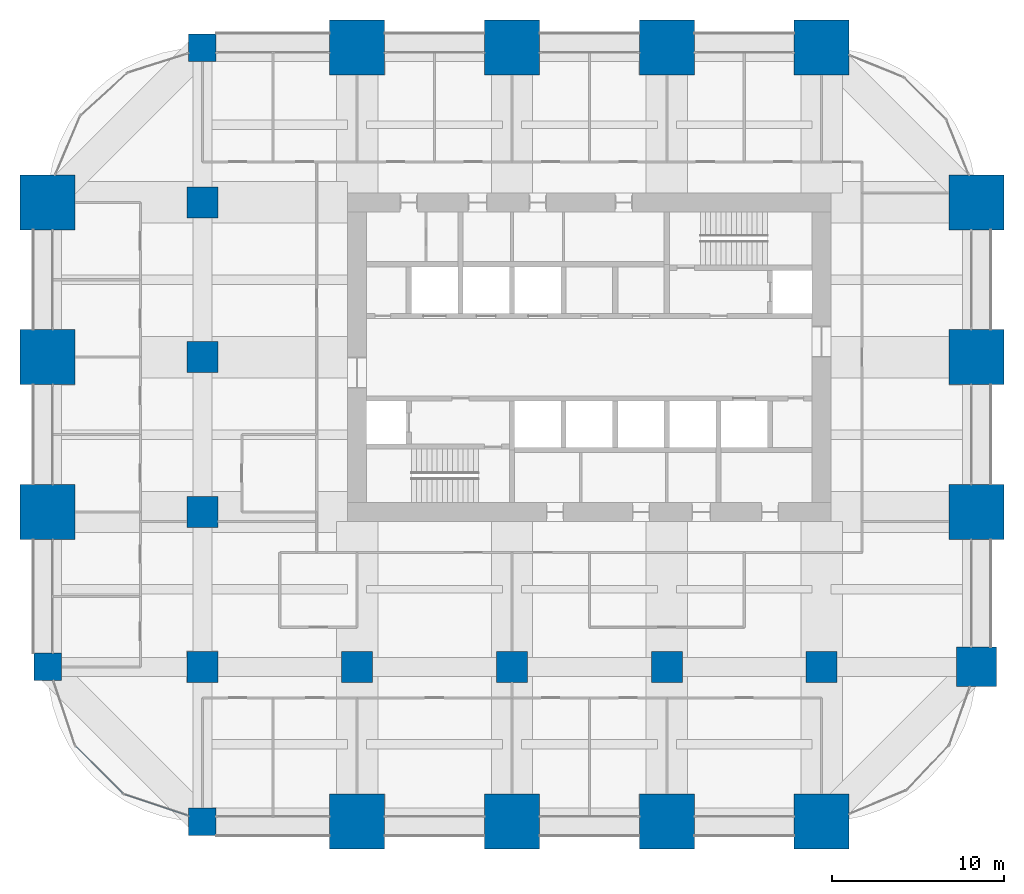
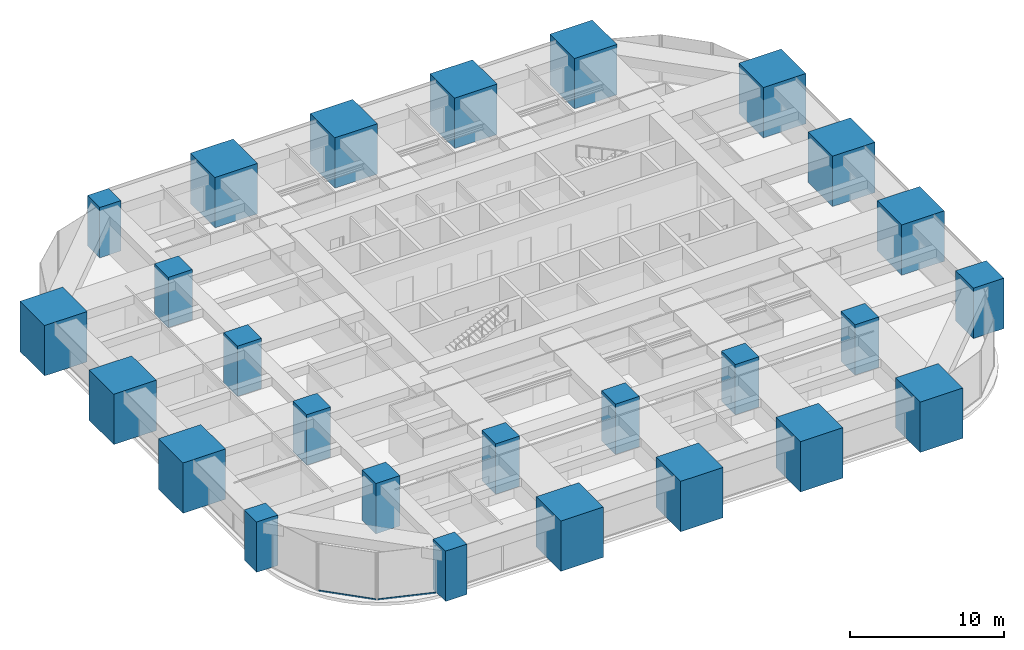
# One storey, part 1 of 36: 26 columns, 2 members, 2 elements without a shape of their own.
"""IFC4 building model written with IfcOpenShell, lengths in metres."""

from ifc_helpers import new_model, si_unit, direction, frame, origin, origin_2d, place, context, subcontext, project, spatial, rectangle, hollow_rectangle, extrude, material, material_profile, profile_set, type_object, element, aggregate, save


model = new_model("IFC4")

# Units and contexts
model_context = context("Model", 3, precision=1e-05, world=origin(), true_north=direction((0.0, 1.0)))
body_context = subcontext(model_context, "Body", "Model", "MODEL_VIEW")
ifc_project = project(units=[si_unit("LENGTHUNIT", "METRE"), si_unit("AREAUNIT", "SQUARE_METRE"), si_unit("VOLUMEUNIT", "CUBIC_METRE"), si_unit("PLANEANGLEUNIT", "RADIAN"), si_unit("MASSUNIT", "GRAM", prefix="KILO")], contexts=[model_context])

# Site, building, storey
site_placement = place(None, origin())
site = spatial("IfcSite", under=ifc_project, at=site_placement, CompositionType="ELEMENT")
building_placement = place(site_placement, origin())
building = spatial("IfcBuilding", under=site, at=building_placement, Name="Zorevar Civic Tower", CompositionType="ELEMENT")
storey_placement = place(building_placement, frame((0.0, 0.0, 166.199951171875)))
storey = spatial("IfcBuildingStorey", under=building, at=storey_placement, Name="L40", CompositionType="ELEMENT", Elevation=166.199951171875)

# Columns
ifc_material_1 = material(Name="Concrete C50/60", Category="concrete")
ifc_material_profile_1 = material_profile(ifc_material_1, rectangle(XDim=1.60009765625, YDim=1.60009765625, at=origin_2d()), Name="RC 1600x1600")
ifc_profile_set_1 = profile_set([ifc_material_profile_1], Name="Concrete C50/60")
column_type_1 = type_object("IfcColumnType", Name="Column RC 1600x1600", PredefinedType="COLUMN", material=ifc_profile_set_1)
for number, where, z_axis, x_axis, name in (
    (1, (0.0, 9.0, 0.0), (0.0, 0.0, 1.0), (1.0, 0.0, 0.0), "Column 2B L40"),
    (2, (9.0, 0.0, 0.0), (0.0, 0.0, 1.0), (1.0, 0.0, 0.0), "Column 3A L40"),
    (3, (9.0, 45.0, 0.0), (0.0, 0.0, 1.0), (1.0, 0.0, 0.0), "Column 3F L40"),
):
    element("IfcColumn", number, at=place(storey_placement, frame(where, z_axis=z_axis, x_axis=x_axis)), inside=storey, type_object=column_type_1, Name=name, PredefinedType="COLUMN", context=body_context, shape_type="SweptSolid", body=[
        extrude(rectangle(XDim=1.60009765625, YDim=1.60009765625, at=origin_2d()), origin(), (0.0, 0.0, 1.0), 4.0),
    ])
ifc_material_2 = material(Name="Concrete C50/60", Category="concrete")
ifc_material_profile_2 = material_profile(ifc_material_2, rectangle(XDim=1.800048828125, YDim=1.800048828125, at=origin_2d()), Name="RC 1800x1800")
ifc_profile_set_2 = profile_set([ifc_material_profile_2], Name="Concrete C50/60")
column_type_2 = type_object("IfcColumnType", Name="Column RC 1800x1800", PredefinedType="COLUMN", material=ifc_profile_set_2)
for number, where, z_axis, x_axis, name in (
    (4, (9.0, 9.0, 0.0), (0.0, 0.0, 1.0), (1.0, 0.0, 0.0), "Column 3B L40"),
    (5, (9.0, 18.0, 0.0), (0.0, 0.0, 1.0), (1.0, 0.0, 0.0), "Column 3C L40"),
    (6, (9.0, 27.0, 0.0), (0.0, 0.0, 1.0), (1.0, 0.0, 0.0), "Column 3D L40"),
    (7, (9.0, 36.0, 0.0), (0.0, 0.0, 1.0), (1.0, 0.0, 0.0), "Column 3E L40"),
    (8, (18.0, 9.0, 0.0), (0.0, 0.0, 1.0), (1.0, 0.0, 0.0), "Column 4B L40"),
    (9, (27.0, 9.0, 0.0), (0.0, 0.0, 1.0), (1.0, 0.0, 0.0), "Column 5B L40"),
    (10, (36.0, 9.0, 0.0), (0.0, 0.0, 1.0), (1.0, 0.0, 0.0), "Column 6B L40"),
    (11, (45.0, 9.0, 0.0), (0.0, 0.0, 1.0), (1.0, 0.0, 0.0), "Column 7B L40"),
):
    element("IfcColumn", number, at=place(storey_placement, frame(where, z_axis=z_axis, x_axis=x_axis)), inside=storey, type_object=column_type_2, Name=name, PredefinedType="COLUMN", context=body_context, shape_type="SweptSolid", body=[
        extrude(rectangle(XDim=1.800048828125, YDim=1.800048828125, at=origin_2d()), origin(), (0.0, 0.0, 1.0), 4.0),
    ])
ifc_material_3 = material(Name="Concrete C50/60", Category="concrete")
ifc_material_profile_3 = material_profile(ifc_material_3, rectangle(XDim=2.300048828125, YDim=2.300048828125, at=origin_2d()), Name="RC 2300x2300")
ifc_profile_set_3 = profile_set([ifc_material_profile_3], Name="Concrete C50/60")
column_type_3 = type_object("IfcColumnType", Name="Column RC 2300x2300", PredefinedType="COLUMN", material=ifc_profile_set_3)
column_placement = place(storey_placement, frame((54.0, 9.0, 0.0), z_axis=(0.0, 0.0, 1.0), x_axis=(1.0, 0.0, 0.0)))
element("IfcColumn", 12, at=column_placement, inside=storey, type_object=column_type_3, Name="Column 8B L40", PredefinedType="COLUMN", context=body_context, shape_type="SweptSolid", body=[
    extrude(rectangle(XDim=2.300048828125, YDim=2.300048828125, at=origin_2d()), origin(), (0.0, 0.0, 1.0), 4.0),
])
ifc_material_4 = material(Name="Concrete C50/60", Category="concrete")
ifc_material_profile_4 = material_profile(ifc_material_4, rectangle(XDim=3.199951171875, YDim=3.199951171875, at=origin_2d()), Name="RC 3200x3200")
ifc_profile_set_4 = profile_set([ifc_material_profile_4], Name="Concrete C50/60")
column_type_4 = type_object("IfcColumnType", Name="Mega column RC 3200x3200", PredefinedType="COLUMN", material=ifc_profile_set_4)
for number, where, z_axis, x_axis, name in (
    (13, (0.0, 18.0, 0.0), (0.0, 0.0, 1.0), (1.0, 0.0, 0.0), "Column 2C L40"),
    (14, (0.0, 27.0, 0.0), (0.0, 0.0, 1.0), (1.0, 0.0, 0.0), "Column 2D L40"),
    (15, (0.0, 36.0, 0.0), (0.0, 0.0, 1.0), (1.0, 0.0, 0.0), "Column 2E L40"),
    (16, (18.0, 0.0, 0.0), (0.0, 0.0, 1.0), (1.0, 0.0, 0.0), "Column 4A L40"),
    (17, (18.0, 45.0, 0.0), (0.0, 0.0, 1.0), (1.0, 0.0, 0.0), "Column 4F L40"),
    (18, (27.0, 0.0, 0.0), (0.0, 0.0, 1.0), (1.0, 0.0, 0.0), "Column 5A L40"),
    (19, (27.0, 45.0, 0.0), (0.0, 0.0, 1.0), (1.0, 0.0, 0.0), "Column 5F L40"),
    (20, (36.0, 0.0, 0.0), (0.0, 0.0, 1.0), (1.0, 0.0, 0.0), "Column 6A L40"),
    (21, (36.0, 45.0, 0.0), (0.0, 0.0, 1.0), (1.0, 0.0, 0.0), "Column 6F L40"),
    (22, (45.0, 0.0, 0.0), (0.0, 0.0, 1.0), (1.0, 0.0, 0.0), "Column 7A L40"),
    (23, (45.0, 45.0, 0.0), (0.0, 0.0, 1.0), (1.0, 0.0, 0.0), "Column 7F L40"),
    (24, (54.0, 18.0, 0.0), (0.0, 0.0, 1.0), (1.0, 0.0, 0.0), "Column 8C L40"),
    (25, (54.0, 27.0, 0.0), (0.0, 0.0, 1.0), (1.0, 0.0, 0.0), "Column 8D L40"),
    (26, (54.0, 36.0, 0.0), (0.0, 0.0, 1.0), (1.0, 0.0, 0.0), "Column 8E L40"),
):
    element("IfcColumn", number, at=place(storey_placement, frame(where, z_axis=z_axis, x_axis=x_axis)), inside=storey, type_object=column_type_4, Name=name, PredefinedType="COLUMN", context=body_context, shape_type="SweptSolid", body=[
        extrude(rectangle(XDim=3.199951171875, YDim=3.199951171875, at=origin_2d()), origin(), (0.0, 0.0, 1.0), 4.0),
    ])

# Curtain wall, member
ifc_material_5 = material(Name="Dark grey solar-control glass in black aluminium frame", Category="aluminium")
curtain_wall_type = type_object("IfcCurtainWallType", Name="Curtain wall CW4 high zone", PredefinedType="NOTDEFINED", material=ifc_material_5)
curtain_wall_1_placement = place(storey_placement, origin())
curtain_wall_1 = element("IfcCurtainWall", 27, at=curtain_wall_1_placement, inside=storey, type_object=curtain_wall_type, Name="CW4 L40", PredefinedType="NOTDEFINED")
ifc_material_6 = material(Name="Aluminium, black anodised", Category="aluminium")
ifc_material_profile_5 = material_profile(ifc_material_6, hollow_rectangle(XDim=0.06005859375, YDim=0.1201171875, WallThickness=0.0029296875, at=origin_2d()), Name="AL 120x60x3")
ifc_profile_set_5 = profile_set([ifc_material_profile_5], Name="Aluminium, black anodised")
member_type = type_object("IfcMemberType", Name="CW4 transom AL 120x60x3", PredefinedType="USERDEFINED", material=ifc_profile_set_5)
member_1_placement = place(storey_placement, frame((1.64501953125, 4.37841796875, 0.030029296875), z_axis=(0.707106781187, -0.707106781187, 0.0), x_axis=(0.707106781187, 0.707106781187, 0.0)))
member_1 = element("IfcMember", 28, at=member_1_placement, type_object=member_type, Name="CW4 sill transom", ObjectType="TRANSOM", PredefinedType="USERDEFINED", context=body_context, shape_type="SweptSolid", body=[
    extrude(hollow_rectangle(XDim=0.06005859375, YDim=0.1201171875, WallThickness=0.0029296875, at=origin_2d()), origin(), (0.0, 0.0, 1.0), 3.86572265625),
])
aggregate(curtain_wall_1, [member_1])

curtain_wall_2_placement = place(storey_placement, origin())
curtain_wall_2 = element("IfcCurtainWall", 29, at=curtain_wall_2_placement, inside=storey, type_object=curtain_wall_type, Name="CW4 L40", PredefinedType="NOTDEFINED")
member_2_placement = place(storey_placement, frame((4.477783203125, 1.583740234375, 0.030029296875), z_axis=(0.94821488093, -0.317629563458, 0.0), x_axis=(0.317629563458, 0.94821488093, 0.0)))
member_2 = element("IfcMember", 30, at=member_2_placement, type_object=member_type, Name="CW4 sill transom", ObjectType="TRANSOM", PredefinedType="USERDEFINED", context=body_context, shape_type="SweptSolid", body=[
    extrude(hollow_rectangle(XDim=0.06005859375, YDim=0.1201171875, WallThickness=0.0029296875, at=origin_2d()), origin(), (0.0, 0.0, 1.0), 3.865478515625),
])
aggregate(curtain_wall_2, [member_2])

save(model, "model.ifc")
